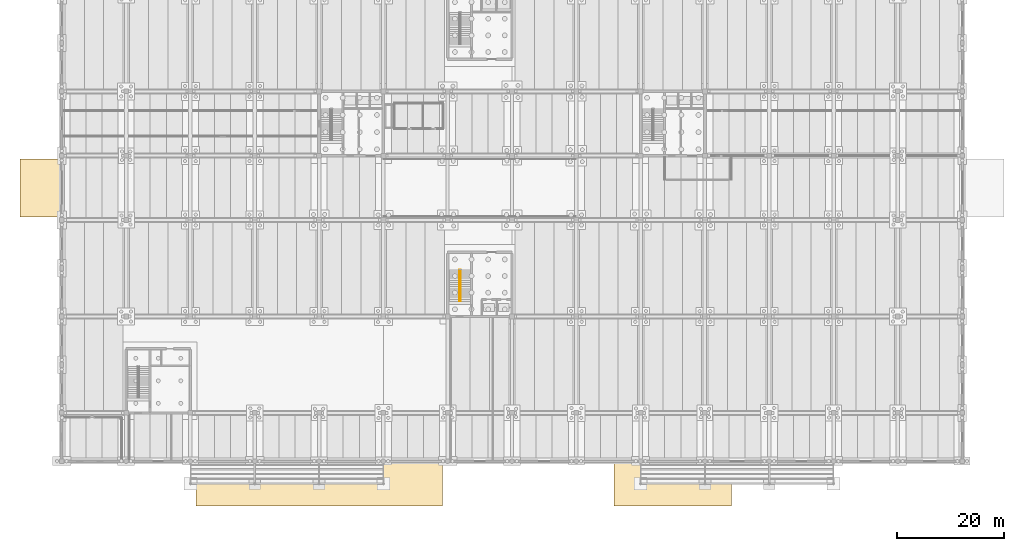
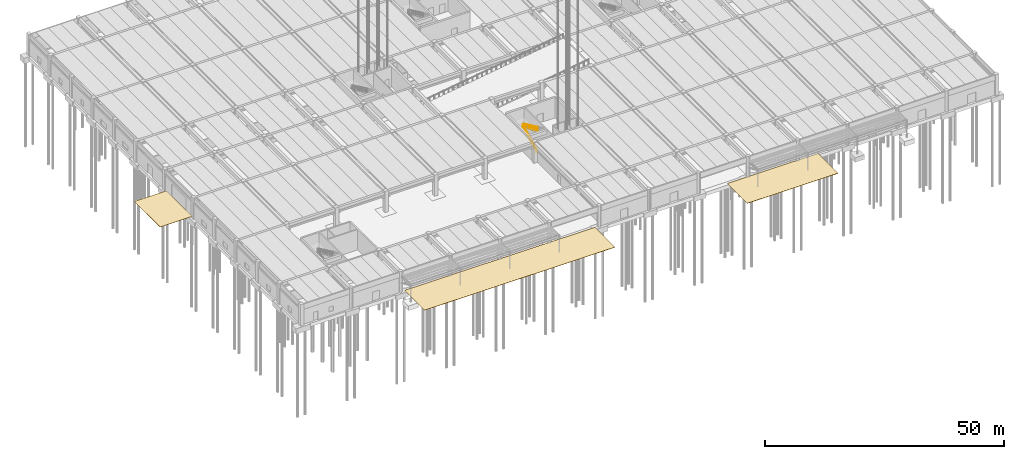
# One storey, part 53 of 59: 3 coverings, 2 railings.
"""IFC4 building model written with IfcOpenShell, lengths in metres."""

from ifc_helpers import new_model, si_unit, direction, frame, origin, origin_2d, place, context, subcontext, project, spatial, rectangle, circle, extrude, material, layer, layer_set, type_object, element, save


model = new_model("IFC4")

# Units and contexts
model_context = context("Model", 3, precision=1e-05, world=origin(), true_north=direction((0.0, 1.0)))
body_context = subcontext(model_context, "Body", "Model", "MODEL_VIEW")
ifc_project = project(units=[si_unit("LENGTHUNIT", "METRE"), si_unit("AREAUNIT", "SQUARE_METRE"), si_unit("VOLUMEUNIT", "CUBIC_METRE"), si_unit("PLANEANGLEUNIT", "RADIAN"), si_unit("MASSUNIT", "GRAM", prefix="KILO")], contexts=[model_context])

# Site, building, storey
site_placement = place(None, origin())
site = spatial("IfcSite", under=ifc_project, at=site_placement, CompositionType="ELEMENT")
building_placement = place(site_placement, origin())
building = spatial("IfcBuilding", under=site, at=building_placement, Name="Girod Span Mobility Hub", CompositionType="ELEMENT")
storey_placement = place(building_placement, origin())
storey = spatial("IfcBuildingStorey", under=building, at=storey_placement, Name="L00", CompositionType="ELEMENT", Elevation=0.0)

# Coverings
ifc_material_1 = material(Name="Reinforced Vehicular Apron Paving", Category="concrete")
ifc_layer_1 = layer(ifc_material_1, 0.050048828125)
ifc_layer_set_1 = layer_set([ifc_layer_1], Name="Reinforced Vehicular Apron Paving")
covering_type = type_object("IfcCoveringType", Name="COV-APR-ROAD", PredefinedType="USERDEFINED", material=ifc_layer_set_1)
covering_1_placement = place(storey_placement, frame((-3.89990234375, 51.0, -0.0498046875), z_axis=(0.0, 0.0, 1.0), x_axis=(1.0, 0.0, 0.0)))
element("IfcCovering", 1, at=covering_1_placement, inside=storey, type_object=covering_type, Name="West Vehicle Ramp Entry Driveway Apron", ObjectType="ROADWAY", PredefinedType="USERDEFINED", context=body_context, shape_type="SweptSolid", body=[
    extrude(rectangle(XDim=7.800048828125, YDim=10.800048828125, at=origin_2d()), origin(), (0.0, 0.0, 1.0), 0.050048828125),
])
covering_2_placement = place(storey_placement, frame((48.0, -4.199951171875, -0.0498046875), z_axis=(0.0, 0.0, 1.0), x_axis=(1.0, 0.0, 0.0)))
element("IfcCovering", 2, at=covering_2_placement, inside=storey, type_object=covering_type, Name="West Sawtooth Bus Driveway Apron", ObjectType="ROADWAY", PredefinedType="USERDEFINED", context=body_context, shape_type="SweptSolid", body=[
    extrude(rectangle(XDim=46.0, YDim=8.39990234375, at=origin_2d()), origin(), (0.0, 0.0, 1.0), 0.050048828125),
])
covering_3_placement = place(storey_placement, frame((114.0, -4.199951171875, -0.0498046875), z_axis=(0.0, 0.0, 1.0), x_axis=(1.0, 0.0, 0.0)))
element("IfcCovering", 3, at=covering_3_placement, inside=storey, type_object=covering_type, Name="East Sawtooth Bus Driveway Apron", ObjectType="ROADWAY", PredefinedType="USERDEFINED", context=body_context, shape_type="SweptSolid", body=[
    extrude(rectangle(XDim=22.0, YDim=8.39990234375, at=origin_2d()), origin(), (0.0, 0.0, 1.0), 0.050048828125),
])

# Railings
ifc_material_2 = material(Name="Painted Galvanised Steel", Category="steel")
ifc_layer_2 = layer(ifc_material_2, 0.050048828125)
ifc_layer_set_2 = layer_set([ifc_layer_2], Name="Painted Galvanised Steel")
railing_type = type_object("IfcRailingType", Name="RL-HR-920", PredefinedType="HANDRAIL", material=ifc_layer_set_2)
railing_1_placement = place(storey_placement, frame((74.14990234375, 29.860107421875, 0.0)))
element("IfcRailing", 4, at=railing_1_placement, inside=storey, type_object=railing_type, Name="Stair ST-3 Flight 1 Handrail L00", PredefinedType="HANDRAIL", context=body_context, shape_type="SweptSolid", body=[
    extrude(circle(Radius=0.02392578125, at=origin_2d()), frame((0.0, 0.0, 0.89599609375), z_axis=(0.0, 0.90657954365, 0.422034987928), x_axis=(-1.0, 0.0, 0.0)), (0.0, 0.0, 1.0), 6.3974609375),
    extrude(circle(Radius=0.02099609375, at=origin_2d()), origin(), (0.0, 0.0, 1.0), 0.871826171875),
    extrude(circle(Radius=0.02099609375, at=origin_2d()), frame((0.0, 0.966552734375, 0.449951171875)), (0.0, 0.0, 1.0), 0.871826171875),
    extrude(circle(Radius=0.02099609375, at=origin_2d()), frame((0.0, 1.933349609375, 0.89990234375)), (0.0, 0.0, 1.0), 0.871826171875),
    extrude(circle(Radius=0.02099609375, at=origin_2d()), frame((0.0, 2.89990234375, 1.35009765625)), (0.0, 0.0, 1.0), 0.871826171875),
    extrude(circle(Radius=0.02099609375, at=origin_2d()), frame((0.0, 3.866455078125, 1.800048828125)), (0.0, 0.0, 1.0), 0.871826171875),
    extrude(circle(Radius=0.02099609375, at=origin_2d()), frame((0.0, 4.833251953125, 2.25)), (0.0, 0.0, 1.0), 0.871826171875),
    extrude(circle(Radius=0.02099609375, at=origin_2d()), frame((0.0, 5.7998046875, 2.699951171875)), (0.0, 0.0, 1.0), 0.871826171875),
])
railing_2_placement = place(storey_placement, frame((74.449951171875, 35.659912109375, 2.699951171875)))
element("IfcRailing", 5, at=railing_2_placement, inside=storey, type_object=railing_type, Name="Stair ST-3 Flight 2 Handrail L00", PredefinedType="HANDRAIL", context=body_context, shape_type="SweptSolid", body=[
    extrude(circle(Radius=0.02392578125, at=origin_2d()), frame((0.0, 0.0, 0.89599609375), z_axis=(0.0, -0.90657954365, 0.422034987928), x_axis=(1.0, 0.0, 0.0)), (0.0, 0.0, 1.0), 6.3974609375),
    extrude(circle(Radius=0.02099609375, at=origin_2d()), origin(), (0.0, 0.0, 1.0), 0.871826171875),
    extrude(circle(Radius=0.02099609375, at=origin_2d()), frame((0.0, -0.966552734375, 0.449951171875)), (0.0, 0.0, 1.0), 0.871826171875),
    extrude(circle(Radius=0.02099609375, at=origin_2d()), frame((0.0, -1.933349609375, 0.89990234375)), (0.0, 0.0, 1.0), 0.871826171875),
    extrude(circle(Radius=0.02099609375, at=origin_2d()), frame((0.0, -2.89990234375, 1.35009765625)), (0.0, 0.0, 1.0), 0.871826171875),
    extrude(circle(Radius=0.02099609375, at=origin_2d()), frame((0.0, -3.866455078125, 1.800048828125)), (0.0, 0.0, 1.0), 0.871826171875),
    extrude(circle(Radius=0.02099609375, at=origin_2d()), frame((0.0, -4.833251953125, 2.25)), (0.0, 0.0, 1.0), 0.871826171875),
    extrude(circle(Radius=0.02099609375, at=origin_2d()), frame((0.0, -5.7998046875, 2.699951171875)), (0.0, 0.0, 1.0), 0.871826171875),
])

save(model, "model.ifc")
